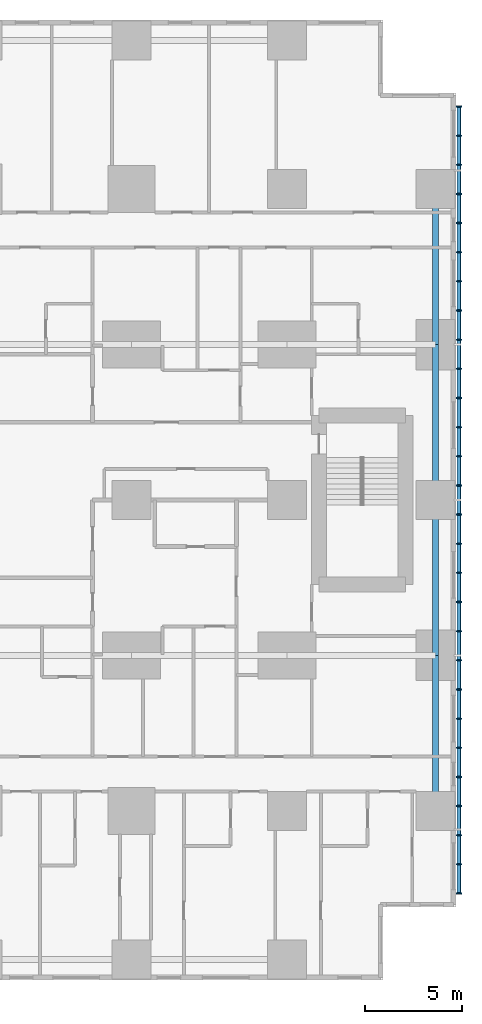
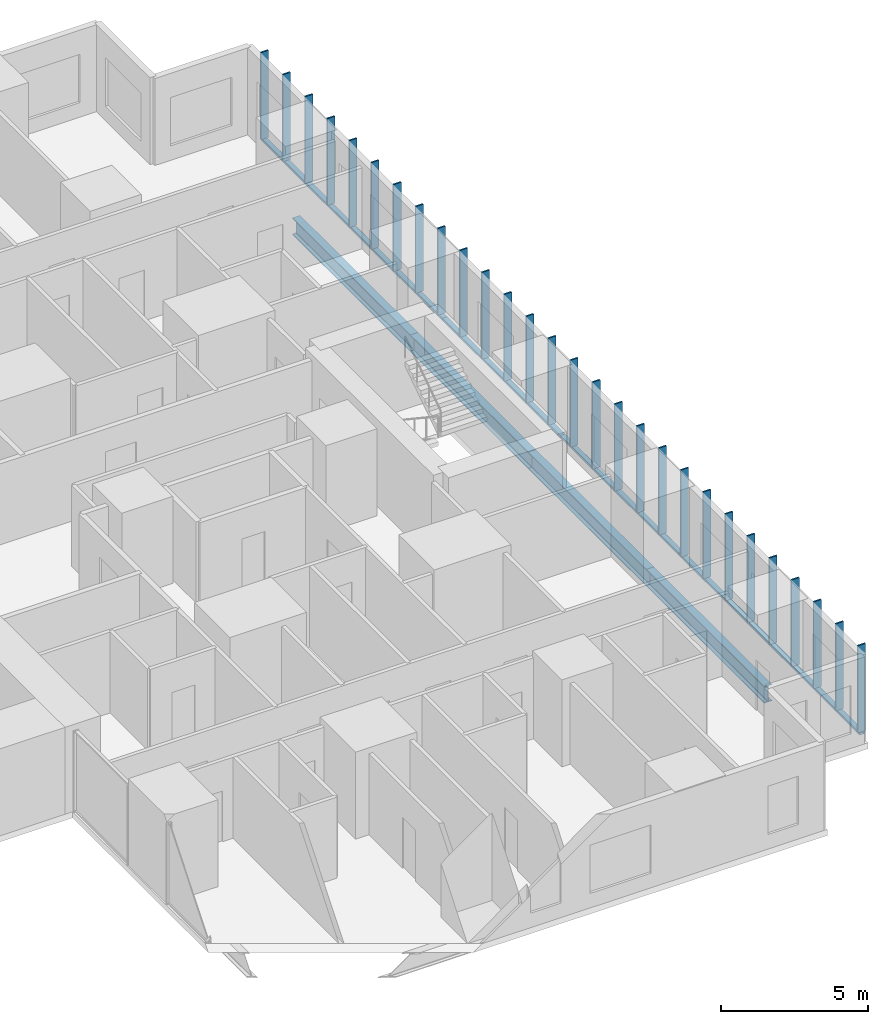
# One storey, part 6 of 20: 32 members, 4 beams.
"""IFC4 building model written with IfcOpenShell, lengths in metres."""

from ifc_helpers import new_model, si_unit, direction, frame, origin, origin_2d, place, context, subcontext, project, spatial, rectangle, hollow_rectangle, i_section, extrude, material, material_profile, profile_set, type_object, element, save


model = new_model("IFC4")

# Units and contexts
model_context = context("Model", 3, precision=1e-05, world=origin(), true_north=direction((0.0, 1.0)))
body_context = subcontext(model_context, "Body", "Model", "MODEL_VIEW")
ifc_project = project(units=[si_unit("LENGTHUNIT", "METRE"), si_unit("AREAUNIT", "SQUARE_METRE"), si_unit("VOLUMEUNIT", "CUBIC_METRE"), si_unit("PLANEANGLEUNIT", "RADIAN"), si_unit("MASSUNIT", "GRAM", prefix="KILO")], contexts=[model_context])

# Site, building, storey
site_placement = place(None, origin())
site = spatial("IfcSite", under=ifc_project, at=site_placement, CompositionType="ELEMENT")
building_placement = place(site_placement, origin())
building = spatial("IfcBuilding", under=site, at=building_placement, Name="Cleftline Residences", CompositionType="ELEMENT")
storey_placement = place(building_placement, frame((0.0, 0.0, 51.199951171875)))
storey = spatial("IfcBuildingStorey", under=building, at=storey_placement, Name="L12", CompositionType="ELEMENT", Elevation=51.199951171875)

# Members
ifc_material_1 = material(Name="Steel S355, hot-dip galvanised", Category="steel")
ifc_material_profile_1 = material_profile(ifc_material_1, hollow_rectangle(XDim=0.10009765625, YDim=0.199951171875, WallThickness=0.008056640625, InnerFilletRadius=0.008056640625, OuterFilletRadius=0.011962890625, at=origin_2d()))
ifc_profile_set_1 = profile_set([ifc_material_profile_1], Name="Steel S355, hot-dip galvanised")
member_type_1 = type_object("IfcMemberType", Name="BAGUETTE CARRIER RHS 200X100X8", PredefinedType="USERDEFINED", material=ifc_profile_set_1)
member_1_placement = place(storey_placement, frame((66.85009765625, 3.699951171875, -0.050048828125), z_axis=(0.0, 1.0, 0.0), x_axis=(0.0, 0.0, 1.0)))
element("IfcMember", 1, at=member_1_placement, inside=storey, type_object=member_type_1, Name="Baguette carrier", ObjectType="BAGUETTE CARRIER", PredefinedType="USERDEFINED", context=body_context, shape_type="SweptSolid", body=[
    extrude(hollow_rectangle(XDim=0.10009765625, YDim=0.199951171875, WallThickness=0.008056640625, InnerFilletRadius=0.008056640625, OuterFilletRadius=0.011962890625, at=origin_2d()), origin(), (0.0, 0.0, 1.0), 12.300048828125),
])
for number, where, z_axis, x_axis, name in (
    (2, (66.85009765625, 16.0, -0.050048828125), (0.0, 1.0, 0.0), (0.0, 0.0, 1.0), "Baguette carrier"),
    (3, (66.85009765625, 24.0, -0.050048828125), (0.0, 1.0, 0.0), (0.0, 0.0, 1.0), "Baguette carrier"),
):
    element("IfcMember", number, at=place(storey_placement, frame(where, z_axis=z_axis, x_axis=x_axis)), inside=storey, type_object=member_type_1, Name=name, ObjectType="BAGUETTE CARRIER", PredefinedType="USERDEFINED", context=body_context, shape_type="SweptSolid", body=[
        extrude(hollow_rectangle(XDim=0.10009765625, YDim=0.199951171875, WallThickness=0.008056640625, InnerFilletRadius=0.008056640625, OuterFilletRadius=0.011962890625, at=origin_2d()), origin(), (0.0, 0.0, 1.0), 8.0),
    ])
member_2_placement = place(storey_placement, frame((66.85009765625, 32.0, -0.050048828125), z_axis=(0.0, 1.0, 0.0), x_axis=(0.0, 0.0, 1.0)))
element("IfcMember", 4, at=member_2_placement, inside=storey, type_object=member_type_1, Name="Baguette carrier", ObjectType="BAGUETTE CARRIER", PredefinedType="USERDEFINED", context=body_context, shape_type="SweptSolid", body=[
    extrude(hollow_rectangle(XDim=0.10009765625, YDim=0.199951171875, WallThickness=0.008056640625, InnerFilletRadius=0.008056640625, OuterFilletRadius=0.011962890625, at=origin_2d()), origin(), (0.0, 0.0, 1.0), 12.300048828125),
])

# Beams
ifc_material_2 = material(Name="Steel S355", Category="steel")
ifc_material_profile_2 = material_profile(ifc_material_2, i_section(OverallWidth=0.300048828125, OverallDepth=0.699951171875, WebThickness=0.01708984375, FlangeThickness=0.031982421875, FilletRadius=0.027099609375, at=origin_2d()))
ifc_profile_set_2 = profile_set([ifc_material_profile_2], Name="Steel S355")
beam_type = type_object("IfcBeamType", Name="BEAM HEB 700", PredefinedType="BEAM", material=ifc_profile_set_2)
for number, where, z_axis, x_axis, name in (
    (5, (65.64990234375, 8.0, -0.599853515625), (0.0, 1.0, 0.0), (-1.0, 0.0, 0.0), "Edge beam"),
    (6, (65.64990234375, 16.0, -0.599853515625), (0.0, 1.0, 0.0), (-1.0, 0.0, 0.0), "Edge beam"),
    (7, (65.64990234375, 24.0, -0.599853515625), (0.0, 1.0, 0.0), (-1.0, 0.0, 0.0), "Edge beam"),
    (8, (65.64990234375, 32.0, -0.599853515625), (0.0, 1.0, 0.0), (-1.0, 0.0, 0.0), "Edge beam"),
):
    element("IfcBeam", number, at=place(storey_placement, frame(where, z_axis=z_axis, x_axis=x_axis)), inside=storey, type_object=beam_type, Name=name, PredefinedType="BEAM", context=body_context, shape_type="SweptSolid", body=[
        extrude(i_section(OverallWidth=0.300048828125, OverallDepth=0.699951171875, WebThickness=0.01708984375, FlangeThickness=0.031982421875, FilletRadius=0.027099609375, at=origin_2d()), origin(), (0.0, 0.0, 1.0), 8.0),
    ])

# Members
ifc_material_3 = material(Name="Extruded terracotta", Category="masonry")
ifc_material_profile_3 = material_profile(ifc_material_3, rectangle(XDim=0.06005859375, YDim=0.300048828125, at=origin_2d()))
ifc_profile_set_3 = profile_set([ifc_material_profile_3], Name="Extruded terracotta")
member_type_2 = type_object("IfcMemberType", Name="TERRACOTTA BAGUETTE 60X300", PredefinedType="USERDEFINED", material=ifc_profile_set_3)
for number, where, z_axis, x_axis, name in (
    (9, (66.85009765625, 3.75, 0.0), (0.0, 0.0, 1.0), (0.0, 1.0, 0.0), "Terracotta baguette"),
    (10, (66.85009765625, 5.25, 0.0), (0.0, 0.0, 1.0), (0.0, 1.0, 0.0), "Terracotta baguette"),
    (11, (66.85009765625, 6.75, 0.0), (0.0, 0.0, 1.0), (0.0, 1.0, 0.0), "Terracotta baguette"),
    (12, (66.85009765625, 8.25, 0.0), (0.0, 0.0, 1.0), (0.0, 1.0, 0.0), "Terracotta baguette"),
    (13, (66.85009765625, 9.75, 0.0), (0.0, 0.0, 1.0), (0.0, 1.0, 0.0), "Terracotta baguette"),
    (14, (66.85009765625, 11.25, 0.0), (0.0, 0.0, 1.0), (0.0, 1.0, 0.0), "Terracotta baguette"),
    (15, (66.85009765625, 12.75, 0.0), (0.0, 0.0, 1.0), (0.0, 1.0, 0.0), "Terracotta baguette"),
    (16, (66.85009765625, 14.25, 0.0), (0.0, 0.0, 1.0), (0.0, 1.0, 0.0), "Terracotta baguette"),
    (17, (66.85009765625, 15.75, 0.0), (0.0, 0.0, 1.0), (0.0, 1.0, 0.0), "Terracotta baguette"),
    (18, (66.85009765625, 17.25, 0.0), (0.0, 0.0, 1.0), (0.0, 1.0, 0.0), "Terracotta baguette"),
    (19, (66.85009765625, 18.75, 0.0), (0.0, 0.0, 1.0), (0.0, 1.0, 0.0), "Terracotta baguette"),
    (20, (66.85009765625, 20.25, 0.0), (0.0, 0.0, 1.0), (0.0, 1.0, 0.0), "Terracotta baguette"),
    (21, (66.85009765625, 21.75, 0.0), (0.0, 0.0, 1.0), (0.0, 1.0, 0.0), "Terracotta baguette"),
    (22, (66.85009765625, 23.25, 0.0), (0.0, 0.0, 1.0), (0.0, 1.0, 0.0), "Terracotta baguette"),
    (23, (66.85009765625, 24.75, 0.0), (0.0, 0.0, 1.0), (0.0, 1.0, 0.0), "Terracotta baguette"),
    (24, (66.85009765625, 26.25, 0.0), (0.0, 0.0, 1.0), (0.0, 1.0, 0.0), "Terracotta baguette"),
    (25, (66.85009765625, 27.75, 0.0), (0.0, 0.0, 1.0), (0.0, 1.0, 0.0), "Terracotta baguette"),
    (26, (66.85009765625, 29.25, 0.0), (0.0, 0.0, 1.0), (0.0, 1.0, 0.0), "Terracotta baguette"),
    (27, (66.85009765625, 30.75, 0.0), (0.0, 0.0, 1.0), (0.0, 1.0, 0.0), "Terracotta baguette"),
    (28, (66.85009765625, 32.25, 0.0), (0.0, 0.0, 1.0), (0.0, 1.0, 0.0), "Terracotta baguette"),
    (29, (66.85009765625, 33.75, 0.0), (0.0, 0.0, 1.0), (0.0, 1.0, 0.0), "Terracotta baguette"),
    (30, (66.85009765625, 35.25, 0.0), (0.0, 0.0, 1.0), (0.0, 1.0, 0.0), "Terracotta baguette"),
    (31, (66.85009765625, 36.75, 0.0), (0.0, 0.0, 1.0), (0.0, 1.0, 0.0), "Terracotta baguette"),
    (32, (66.85009765625, 38.25, 0.0), (0.0, 0.0, 1.0), (0.0, 1.0, 0.0), "Terracotta baguette"),
    (33, (66.85009765625, 39.75, 0.0), (0.0, 0.0, 1.0), (0.0, 1.0, 0.0), "Terracotta baguette"),
    (34, (66.85009765625, 41.25, 0.0), (0.0, 0.0, 1.0), (0.0, 1.0, 0.0), "Terracotta baguette"),
    (35, (66.85009765625, 42.75, 0.0), (0.0, 0.0, 1.0), (0.0, 1.0, 0.0), "Terracotta baguette"),
    (36, (66.85009765625, 44.25, 0.0), (0.0, 0.0, 1.0), (0.0, 1.0, 0.0), "Terracotta baguette"),
):
    element("IfcMember", number, at=place(storey_placement, frame(where, z_axis=z_axis, x_axis=x_axis)), inside=storey, type_object=member_type_2, Name=name, ObjectType="BAGUETTE", PredefinedType="USERDEFINED", context=body_context, shape_type="SweptSolid", body=[
        extrude(rectangle(XDim=0.06005859375, YDim=0.300048828125, at=origin_2d()), origin(), (0.0, 0.0, 1.0), 3.60009765625),
    ])

save(model, "model.ifc")
